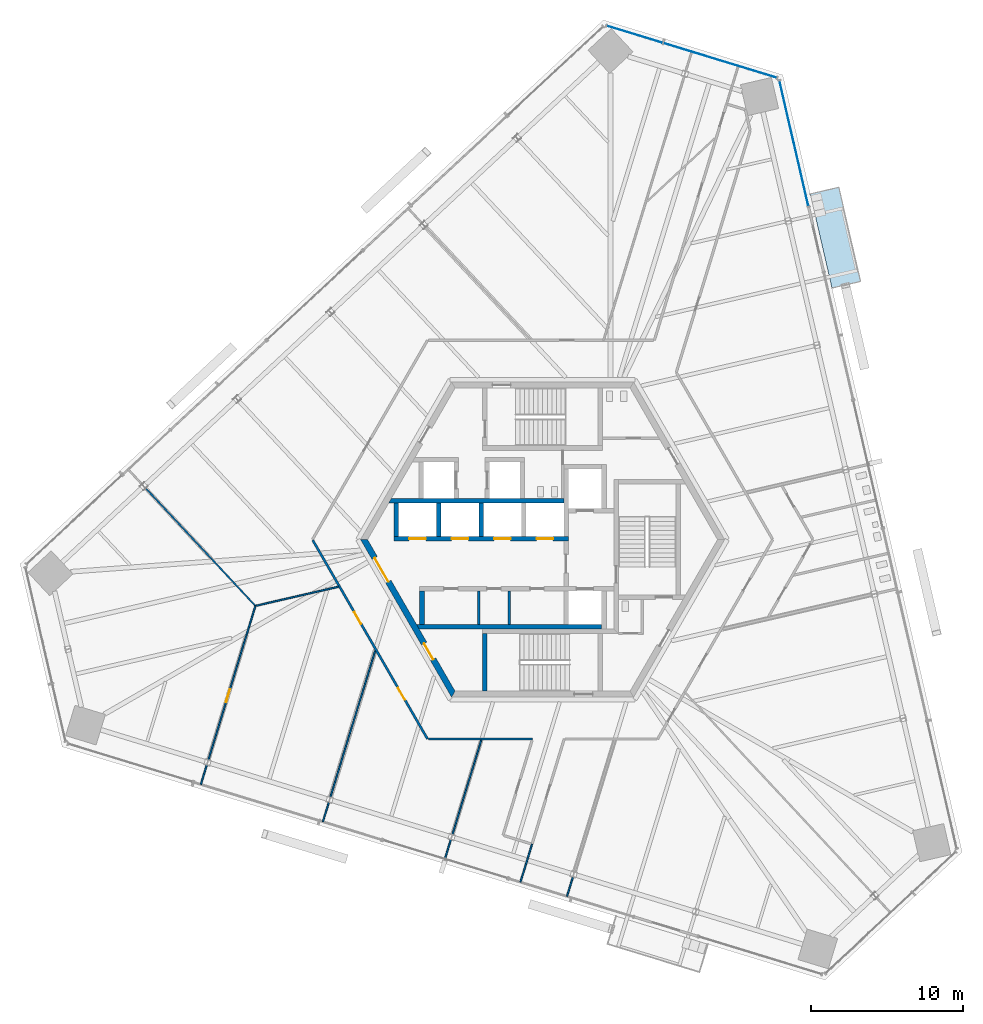
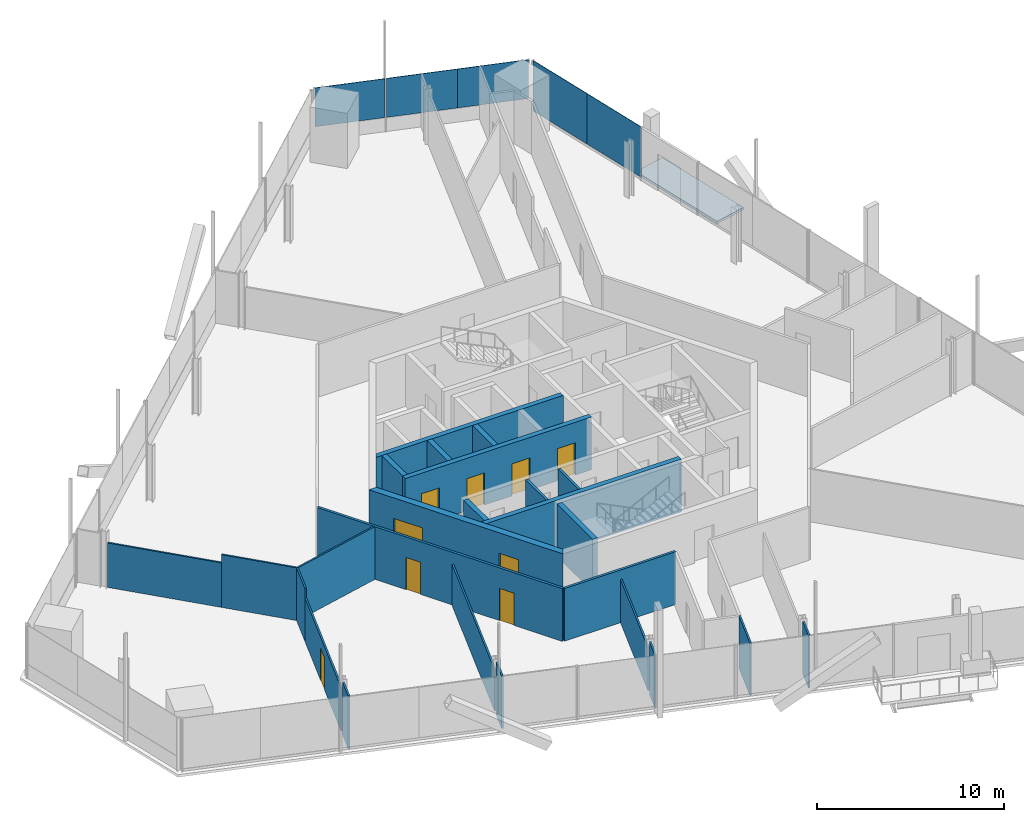
# One storey, part 11 of 21: 25 walls, 9 doors, 5 plates, 1 slab, 9 openings, 2 elements without a shape of their own.
"""IFC4 building model written with IfcOpenShell, lengths in metres."""

from ifc_helpers import new_model, si_unit, direction, frame, frame_2d, origin, origin_2d, place, context, subcontext, project, spatial, polyline, rectangle, outline, extrude, source, transform, mapped, material, layer, layer_set, type_object, element, fill, aggregate, save


model = new_model("IFC4")

# Units and contexts
model_context = context("Model", 3, precision=1e-05, world=origin(), true_north=direction((0.0, 1.0)))
body_context = subcontext(model_context, "Body", "Model", "MODEL_VIEW")
ifc_project = project(units=[si_unit("LENGTHUNIT", "METRE"), si_unit("AREAUNIT", "SQUARE_METRE"), si_unit("VOLUMEUNIT", "CUBIC_METRE"), si_unit("PLANEANGLEUNIT", "RADIAN"), si_unit("MASSUNIT", "GRAM", prefix="KILO")], contexts=[model_context])

# Site, building, storey
site_placement = place(None, origin())
site = spatial("IfcSite", under=ifc_project, at=site_placement, CompositionType="ELEMENT")
building_placement = place(site_placement, origin())
building = spatial("IfcBuilding", under=site, at=building_placement, Name="Triune Harvest Tower", CompositionType="ELEMENT")
storey_placement = place(building_placement, frame((0.0, 0.0, 119.89990234375)))
storey = spatial("IfcBuildingStorey", under=building, at=storey_placement, Name="L30", CompositionType="ELEMENT", Elevation=119.89990234375)

# Slab
ifc_material_1 = material(Name="Concrete 40 MPa", Category="concrete")
ifc_layer_1 = layer(ifc_material_1, 0.159912109375)
ifc_layer_set_1 = layer_set([ifc_layer_1], Name="Concrete 40 MPa")
slab_type = type_object("IfcSlabType", Name="BA-1 balcony slab 160", PredefinedType="FLOOR", material=ifc_layer_set_1)
slab_placement = place(storey_placement, frame((0.0, 0.0, -0.159912109375)))
element("IfcSlab", 1, at=slab_placement, inside=storey, type_object=slab_type, Name="Balcony slab B3-F1 L30.10", PredefinedType="FLOOR", context=body_context, shape_type="SweptSolid", body=[
    extrude(outline(polyline([(19.08154296875, 16.589111328125), (17.649658203125, 22.791259765625), (19.531494140625, 23.2255859375), (20.96337890625, 17.023681640625), (19.08154296875, 16.589111328125)])), origin(), (0.0, 0.0, 1.0), 0.159912109375),
])

# Curtain wall, plates
ifc_material_2 = material(Name="Aluminium bronze anodised", Category="aluminium")
curtain_wall_type_1 = type_object("IfcCurtainWallType", Name="CW-1 Tower stick curtain wall", PredefinedType="NOTDEFINED", material=ifc_material_2)
curtain_wall_1_placement = place(storey_placement, origin())
curtain_wall_1 = element("IfcCurtainWall", 2, at=curtain_wall_1_placement, inside=storey, type_object=curtain_wall_type_1, Name="CW-1 B3-F2 L30 run 1")
ifc_material_3 = material(Name="Glass", Category="glass")
ifc_layer_2 = layer(ifc_material_3, 0.031982421875)
ifc_layer_set_2 = layer_set([ifc_layer_2], Name="Glass")
plate_type_1 = type_object("IfcPlateType", Name="GL-1 panel 32", PredefinedType="CURTAIN_PANEL", material=ifc_layer_set_2)
shared_shape_1 = source(origin(), body_context, "Body", "SweptSolid", [
    extrude(rectangle(XDim=3.8740234375, YDim=0.031982421875, at=origin_2d()), origin(), (0.0, 0.0, 1.0), 2.5400390625),
])
plate_1_placement = place(storey_placement, frame((13.573974609375, 31.01953125, 0.900146484375), z_axis=(0.0, 0.0, 1.0), x_axis=(-0.956303148607, 0.292376962095, 0.0)))
plate_1 = element("IfcPlate", 3, at=plate_1_placement, type_object=plate_type_1, Name="CW-1 panel B3-F2 1.1", PredefinedType="CURTAIN_PANEL", context=body_context, shape_type="MappedRepresentation", body=[
    mapped(shared_shape_1, transform((0.0, 0.0, 0.0), scale=1.0)),
])
shared_shape_2 = source(origin(), body_context, "Body", "SweptSolid", [
    extrude(rectangle(XDim=3.911376953125, YDim=0.031982421875, at=origin_2d()), origin(), (0.0, 0.0, 1.0), 2.5400390625),
])
plate_2_placement = place(storey_placement, frame((9.851318359375, 32.15771484375, 0.900146484375), z_axis=(0.0, 0.0, 1.0), x_axis=(-0.956303148607, 0.292376962095, 0.0)))
plate_2 = element("IfcPlate", 4, at=plate_2_placement, type_object=plate_type_1, Name="CW-1 panel B3-F2 1.2", PredefinedType="CURTAIN_PANEL", context=body_context, shape_type="MappedRepresentation", body=[
    mapped(shared_shape_2, transform((0.0, 0.0, 0.0), scale=1.0)),
])
shared_shape_3 = source(origin(), body_context, "Body", "SweptSolid", [
    extrude(rectangle(XDim=3.83642578125, YDim=0.031982421875, at=origin_2d()), origin(), (0.0, 0.0, 1.0), 2.5400390625),
])
plate_3_placement = place(storey_placement, frame((6.07470703125, 33.312255859375, 0.900146484375), z_axis=(0.0, 0.0, 1.0), x_axis=(-0.956303148607, 0.292376962095, 0.0)))
plate_3 = element("IfcPlate", 5, at=plate_3_placement, type_object=plate_type_1, Name="CW-1 panel B3-F2 1.3", PredefinedType="CURTAIN_PANEL", context=body_context, shape_type="MappedRepresentation", body=[
    mapped(shared_shape_3, transform((0.0, 0.0, 0.0), scale=1.0)),
])
aggregate(curtain_wall_1, [plate_1, plate_2, plate_3])

ifc_material_4 = material(Name="Aluminium bronze anodised", Category="aluminium")
curtain_wall_type_2 = type_object("IfcCurtainWallType", Name="CW-6 Balcony window wall", PredefinedType="NOTDEFINED", material=ifc_material_4)
curtain_wall_2_placement = place(storey_placement, origin())
curtain_wall_2 = element("IfcCurtainWall", 6, at=curtain_wall_2_placement, inside=storey, type_object=curtain_wall_type_2, Name="CW-6 B3-F1 L30 run 2")
ifc_material_5 = material(Name="Glass", Category="glass")
ifc_layer_3 = layer(ifc_material_5, 0.030029296875)
ifc_layer_set_3 = layer_set([ifc_layer_3], Name="Glass")
plate_type_2 = type_object("IfcPlateType", Name="GL-6 panel 30", PredefinedType="CURTAIN_PANEL", material=ifc_layer_set_3)
shared_shape_4 = source(origin(), body_context, "Body", "SweptSolid", [
    extrude(rectangle(XDim=4.2333984375, YDim=0.030029296875, at=origin_2d()), origin(), (0.0, 0.0, 1.0), 3.2900390625),
])
plate_4_placement = place(storey_placement, frame((17.049560546875, 24.056884765625, 0.150146484375), z_axis=(0.0, 0.0, 1.0), x_axis=(-0.22495121687, 0.974370027263, 0.0)))
plate_4 = element("IfcPlate", 7, at=plate_4_placement, type_object=plate_type_2, Name="CW-6 panel B3-F1 2.1", PredefinedType="CURTAIN_PANEL", context=body_context, shape_type="MappedRepresentation", body=[
    mapped(shared_shape_4, transform((0.0, 0.0, 0.0), scale=1.0)),
])
plate_5_placement = place(storey_placement, frame((16.09716796875, 28.181884765625, 0.150146484375), z_axis=(0.0, 0.0, 1.0), x_axis=(-0.22495121687, 0.974370027263, 0.0)))
plate_5 = element("IfcPlate", 8, at=plate_5_placement, type_object=plate_type_2, Name="CW-6 panel B3-F1 2.2", PredefinedType="CURTAIN_PANEL", context=body_context, shape_type="MappedRepresentation", body=[
    mapped(shared_shape_4, transform((0.0, 0.0, 0.0), scale=1.0)),
])
aggregate(curtain_wall_2, [plate_4, plate_5])

# Wall, openings, doors
ifc_material_6 = material(Name="Gypsum board on steel studs", Category="steel")
ifc_layer_4 = layer(ifc_material_6, 0.14990234375)
ifc_layer_set_4 = layer_set([ifc_layer_4], Name="Gypsum board on steel studs")
wall_type_1 = type_object("IfcWallType", Name="Fire Partition 150 mm", PredefinedType="PARTITIONING", material=ifc_layer_set_4)
wall_1_placement = place(storey_placement, frame((-15.155517578125, -0.03466796875, 0.0), z_axis=(0.0, 0.0, 1.0), x_axis=(0.50000264641, -0.866023875874, 0.0)))
wall_1 = element("IfcWall", 9, at=wall_1_placement, inside=storey, type_object=wall_type_1, Name="Partition L30 002", PredefinedType="PARTITIONING", context=body_context, shape_type="SweptSolid", body=[
    extrude(rectangle(XDim=15.13525390625, YDim=0.14990234375, at=frame_2d((7.567626953125, 0.0))), origin(), (0.0, 0.0, 1.0), 3.440185546875),
])
opening_1_placement = place(wall_1_placement, frame((5.4794921875, 0.0, 0.0)))
opening_1 = element("IfcOpeningElement", 10, at=opening_1_placement, cuts=wall_1, Name="Opening L30-012", PredefinedType="OPENING", context=body_context, shape_type="SweptSolid", body=[
    extrude(rectangle(XDim=0.89990234375, YDim=2.10009765625, at=frame_2d((0.449951171875, 1.050048828125))), frame((0.0, 0.0849609375, 0.0), z_axis=(0.0, -1.0, 0.0), x_axis=(1.0, 0.0, 0.0)), (0.0, 0.0, 1.0), 0.169921875),
])
opening_2_placement = place(wall_1_placement, frame((11.247802734375, 0.0, 0.0)))
opening_2 = element("IfcOpeningElement", 11, at=opening_2_placement, cuts=wall_1, Name="Opening L30-013", PredefinedType="OPENING", context=body_context, shape_type="SweptSolid", body=[
    extrude(rectangle(XDim=0.89990234375, YDim=2.10009765625, at=frame_2d((0.449951171875, 1.050048828125))), frame((0.0, 0.0849609375, 0.0), z_axis=(0.0, -1.0, 0.0), x_axis=(1.0, 0.0, 0.0)), (0.0, 0.0, 1.0), 0.169921875),
])
ifc_material_7 = material(Name="Timber and steel door set", Category="steel")
door_type_1 = type_object("IfcDoorType", Name="Single leaf door FD30 left hand 900 x 2100", OperationType="SINGLE_SWING_LEFT", PredefinedType="DOOR", material=ifc_material_7)
door_1_placement = place(opening_2_placement, origin())
door_1 = element("IfcDoor", 12, at=door_1_placement, inside=storey, type_object=door_type_1, Name="Door L30-013 Pantry 30.13", OperationType="SINGLE_SWING_LEFT", OverallHeight=2.10009765625, OverallWidth=0.89990234375, PredefinedType="DOOR", context=body_context, shape_type="SweptSolid", body=[
    extrude(rectangle(XDim=0.89990234375, YDim=2.10009765625, at=frame_2d((0.449951171875, 1.050048828125))), frame((0.0, 0.02490234375, 0.0), z_axis=(0.0, -1.0, 0.0), x_axis=(1.0, 0.0, 0.0)), (0.0, 0.0, 1.0), 0.050048828125),
])
fill(opening_2, door_1)
ifc_material_8 = material(Name="Timber and steel door set", Category="steel")
door_type_2 = type_object("IfcDoorType", Name="Single leaf door FD30 right hand 900 x 2100", OperationType="SINGLE_SWING_RIGHT", PredefinedType="DOOR", material=ifc_material_8)
door_2_placement = place(opening_1_placement, origin())
door_2 = element("IfcDoor", 13, at=door_2_placement, inside=storey, type_object=door_type_2, Name="Door L30-012 Office 30.12", OperationType="SINGLE_SWING_RIGHT", OverallHeight=2.10009765625, OverallWidth=0.89990234375, PredefinedType="DOOR", context=body_context, shape_type="SweptSolid", body=[
    extrude(rectangle(XDim=0.89990234375, YDim=2.10009765625, at=frame_2d((0.449951171875, 1.050048828125))), frame((0.0, 0.02490234375, 0.0), z_axis=(0.0, -1.0, 0.0), x_axis=(1.0, 0.0, 0.0)), (0.0, 0.0, 1.0), 0.050048828125),
])
fill(opening_1, door_2)

# Walls
wall_2_placement = place(storey_placement, frame((-7.53759765625, -13.142333984375, 0.0), z_axis=(0.0, 0.0, 1.0), x_axis=(1.0, 0.0, 0.0)))
element("IfcWall", 14, at=wall_2_placement, inside=storey, type_object=wall_type_1, Name="Partition L30 013", PredefinedType="PARTITIONING", context=body_context, shape_type="SweptSolid", body=[
    extrude(rectangle(XDim=6.873291015625, YDim=0.14990234375, at=frame_2d((3.4365234375, 0.0))), origin(), (0.0, 0.0, 1.0), 3.440185546875),
])
ifc_material_9 = material(Name="Gypsum board on steel studs", Category="steel")
ifc_layer_5 = layer(ifc_material_9, 0.10009765625)
ifc_layer_set_5 = layer_set([ifc_layer_5], Name="Gypsum board on steel studs")
wall_type_2 = type_object("IfcWallType", Name="Partition 100 mm", PredefinedType="PARTITIONING", material=ifc_layer_set_5)
wall_3_placement = place(storey_placement, frame((-21.81689453125, -1.280029296875, 0.0), z_axis=(0.0, 0.0, 1.0), x_axis=(0.681981127868, -0.731369770521, 0.0)))
element("IfcWall", 15, at=wall_3_placement, inside=storey, type_object=wall_type_2, Name="Partition L30 006a", PredefinedType="PARTITIONING", context=body_context, shape_type="SweptSolid", body=[
    extrude(rectangle(XDim=4.206787109375, YDim=0.10009765625, at=frame_2d((2.103515625, 0.0))), origin(), (0.0, 0.0, 1.0), 3.440185546875),
])
wall_4_placement = place(storey_placement, frame((-18.914794921875, -4.36669921875, 0.0), z_axis=(0.0, 0.0, 1.0), x_axis=(0.974374291793, 0.224932744378, 0.0)))
element("IfcWall", 16, at=wall_4_placement, inside=storey, type_object=wall_type_2, Name="Partition L30 020", PredefinedType="PARTITIONING", context=body_context, shape_type="SweptSolid", body=[
    extrude(rectangle(XDim=5.599609375, YDim=0.10009765625, at=frame_2d((2.7998046875, 0.0))), origin(), (0.0, 0.0, 1.0), 3.440185546875),
])
wall_5_placement = place(storey_placement, frame((-1.459716796875, -22.584228515625, 0.0), z_axis=(0.0, 0.0, 1.0), x_axis=(0.29238197055, 0.956301617324, 0.0)))
element("IfcWall", 17, at=wall_5_placement, inside=storey, type_object=wall_type_2, Name="Partition L30 029", PredefinedType="PARTITIONING", context=body_context, shape_type="SweptSolid", body=[
    extrude(rectangle(XDim=2.61865234375, YDim=0.10009765625, at=frame_2d((1.309326171875, 0.0))), origin(), (0.0, 0.0, 1.0), 3.440185546875),
])

# Wall, openings, doors
ifc_material_10 = material(Name="Concrete 70 MPa", Category="concrete")
ifc_layer_6 = layer(ifc_material_10, 0.39990234375)
ifc_layer_set_6 = layer_set([ifc_layer_6], Name="Concrete 70 MPa")
wall_type_3 = type_object("IfcWallType", Name="Core wall 400", PredefinedType="SHEAR", material=ifc_layer_set_6)
shared_shape_5 = source(origin(), body_context, "Body", "SweptSolid", [
    extrude(outline(polyline([(-0.115478515625, -0.199951171875), (11.884521484375, -0.199951171875), (11.653564453125, 0.199951171875), (0.115478515625, 0.199951171875), (-0.115478515625, -0.199951171875)])), origin(), (0.0, 0.0, 1.0), 3.440185546875),
])
wall_6_placement = place(storey_placement, frame((-11.76904296875, 0.0, 0.0), z_axis=(0.0, 0.0, 1.0), x_axis=(0.499996592174, -0.866027371285, 0.0)))
wall_6 = element("IfcWall", 18, at=wall_6_placement, inside=storey, type_object=wall_type_3, Name="Hexagon 3 wall", PredefinedType="SHEAR", context=body_context, shape_type="MappedRepresentation", body=[
    mapped(shared_shape_5, transform((0.0, 0.0, 0.0), scale=1.0)),
])
opening_3_placement = place(wall_6_placement, frame((1.404541015625, 0.0, 0.0)))
opening_3 = element("IfcOpeningElement", 19, at=opening_3_placement, cuts=wall_6, Name="Opening CD-LS", PredefinedType="OPENING", context=body_context, shape_type="SweptSolid", body=[
    extrude(rectangle(XDim=1.800048828125, YDim=2.10009765625, at=frame_2d((0.89990234375, 1.050048828125))), frame((0.0, 0.2099609375, 0.0), z_axis=(0.0, -1.0, 0.0), x_axis=(1.0, 0.0, 0.0)), (0.0, 0.0, 1.0), 0.419921875),
])
opening_4_placement = place(wall_6_placement, frame((7.91455078125, 0.0, 0.0)))
opening_4 = element("IfcOpeningElement", 20, at=opening_4_placement, cuts=wall_6, Name="Opening CD-SWP", PredefinedType="OPENING", context=body_context, shape_type="SweptSolid", body=[
    extrude(rectangle(XDim=1.199951171875, YDim=2.10009765625, at=frame_2d((0.60009765625, 1.050048828125))), frame((0.0, 0.2099609375, 0.0), z_axis=(0.0, -1.0, 0.0), x_axis=(1.0, 0.0, 0.0)), (0.0, 0.0, 1.0), 0.419921875),
])
ifc_material_11 = material(Name="Steel S235", Category="steel")
door_type_3 = type_object("IfcDoorType", Name="Lobby door 1800 FD120", OperationType="DOUBLE_DOOR_DOUBLE_SWING", PredefinedType="DOOR", material=ifc_material_11)
door_3_placement = place(opening_3_placement, frame((1.800048828125, 0.0, 0.0), z_axis=(0.0, 0.0, 1.0), x_axis=(-1.0, 0.0, 0.0)))
door_3 = element("IfcDoor", 21, at=door_3_placement, inside=storey, type_object=door_type_3, Name="Door CD-LS", OperationType="DOUBLE_DOOR_DOUBLE_SWING", OverallHeight=2.10009765625, OverallWidth=1.800048828125, PredefinedType="DOOR", context=body_context, shape_type="SweptSolid", body=[
    extrude(rectangle(XDim=1.800048828125, YDim=2.10009765625, at=frame_2d((0.89990234375, 1.050048828125))), frame((0.0, 0.02490234375, 0.0), z_axis=(0.0, -1.0, 0.0), x_axis=(1.0, 0.0, 0.0)), (0.0, 0.0, 1.0), 0.050048828125),
])
fill(opening_3, door_3)
ifc_material_12 = material(Name="Steel S235", Category="steel")
door_type_4 = type_object("IfcDoorType", Name="Service door 1200 FD120", OperationType="SINGLE_SWING_LEFT", PredefinedType="DOOR", material=ifc_material_12)
door_4_placement = place(opening_4_placement, frame((1.199951171875, 0.0, 0.0), z_axis=(0.0, 0.0, 1.0), x_axis=(-1.0, 0.0, 0.0)))
door_4 = element("IfcDoor", 22, at=door_4_placement, inside=storey, type_object=door_type_4, Name="Door CD-SWP", OperationType="SINGLE_SWING_RIGHT", OverallHeight=2.10009765625, OverallWidth=1.199951171875, PredefinedType="DOOR", context=body_context, shape_type="SweptSolid", body=[
    extrude(rectangle(XDim=1.199951171875, YDim=2.10009765625, at=frame_2d((0.60009765625, 1.050048828125))), frame((0.0, 0.02490234375, 0.0), z_axis=(0.0, -1.0, 0.0), x_axis=(1.0, 0.0, 0.0)), (0.0, 0.0, 1.0), 0.050048828125),
])
fill(opening_4, door_4)

ifc_material_13 = material(Name="Concrete 70 MPa", Category="concrete")
ifc_layer_7 = layer(ifc_material_13, 0.300048828125)
ifc_layer_set_7 = layer_set([ifc_layer_7], Name="Concrete 70 MPa")
wall_type_4 = type_object("IfcWallType", Name="Core wall 300", PredefinedType="SHEAR", material=ifc_layer_set_7)
shared_shape_6 = source(origin(), body_context, "Body", "SweptSolid", [
    extrude(rectangle(XDim=11.5, YDim=0.300048828125, at=frame_2d((5.75, 0.0))), origin(), (0.0, 0.0, 1.0), 3.440185546875),
])
wall_7_placement = place(storey_placement, frame((-9.800048828125, 0.06005859375, 0.0), z_axis=(0.0, 0.0, 1.0), x_axis=(1.0, 0.0, 0.0)))
wall_7 = element("IfcWall", 23, at=wall_7_placement, inside=storey, type_object=wall_type_4, Name="North front wall", PredefinedType="SHEAR", context=body_context, shape_type="MappedRepresentation", body=[
    mapped(shared_shape_6, transform((0.0, 0.0, 0.0), scale=1.0)),
])
opening_5_placement = place(wall_7_placement, frame((1.0, 0.0, 0.0)))
opening_5 = element("IfcOpeningElement", 24, at=opening_5_placement, cuts=wall_7, Name="Opening LD-LR1-30", PredefinedType="OPENING", context=body_context, shape_type="SweptSolid", body=[
    extrude(rectangle(XDim=1.10009765625, YDim=2.10009765625, at=frame_2d((0.550048828125, 1.050048828125))), frame((0.0, 0.16015625, 0.0), z_axis=(0.0, -1.0, 0.0), x_axis=(1.0, 0.0, 0.0)), (0.0, 0.0, 1.0), 0.320068359375),
])
opening_6_placement = place(wall_7_placement, frame((3.800048828125, 0.0, 0.0)))
opening_6 = element("IfcOpeningElement", 25, at=opening_6_placement, cuts=wall_7, Name="Opening LD-LR2-30", PredefinedType="OPENING", context=body_context, shape_type="SweptSolid", body=[
    extrude(rectangle(XDim=1.10009765625, YDim=2.10009765625, at=frame_2d((0.550048828125, 1.050048828125))), frame((0.0, 0.16015625, 0.0), z_axis=(0.0, -1.0, 0.0), x_axis=(1.0, 0.0, 0.0)), (0.0, 0.0, 1.0), 0.320068359375),
])
opening_7_placement = place(wall_7_placement, frame((6.60009765625, 0.0, 0.0)))
opening_7 = element("IfcOpeningElement", 26, at=opening_7_placement, cuts=wall_7, Name="Opening LD-LR3-30", PredefinedType="OPENING", context=body_context, shape_type="SweptSolid", body=[
    extrude(rectangle(XDim=1.10009765625, YDim=2.10009765625, at=frame_2d((0.550048828125, 1.050048828125))), frame((0.0, 0.16015625, 0.0), z_axis=(0.0, -1.0, 0.0), x_axis=(1.0, 0.0, 0.0)), (0.0, 0.0, 1.0), 0.320068359375),
])
opening_8_placement = place(wall_7_placement, frame((9.39990234375, 0.0, 0.0)))
opening_8 = element("IfcOpeningElement", 27, at=opening_8_placement, cuts=wall_7, Name="Opening LD-LR4-30", PredefinedType="OPENING", context=body_context, shape_type="SweptSolid", body=[
    extrude(rectangle(XDim=1.10009765625, YDim=2.10009765625, at=frame_2d((0.550048828125, 1.050048828125))), frame((0.0, 0.16015625, 0.0), z_axis=(0.0, -1.0, 0.0), x_axis=(1.0, 0.0, 0.0)), (0.0, 0.0, 1.0), 0.320068359375),
])
ifc_material_14 = material(Name="Stainless steel AISI 304", Category="steel")
door_type_5 = type_object("IfcDoorType", Name="Landing door 1100 x 2100", OperationType="DOUBLE_DOOR_SLIDING", PredefinedType="DOOR", material=ifc_material_14)
door_5_placement = place(opening_5_placement, origin())
door_5 = element("IfcDoor", 28, at=door_5_placement, inside=storey, type_object=door_type_5, Name="Door LD-LR1-30", OperationType="DOUBLE_DOOR_SLIDING", OverallHeight=2.10009765625, OverallWidth=1.10009765625, PredefinedType="DOOR", context=body_context, shape_type="SweptSolid", body=[
    extrude(rectangle(XDim=1.10009765625, YDim=2.10009765625, at=frame_2d((0.550048828125, 1.050048828125))), frame((0.0, 0.02490234375, 0.0), z_axis=(0.0, -1.0, 0.0), x_axis=(1.0, 0.0, 0.0)), (0.0, 0.0, 1.0), 0.050048828125),
])
fill(opening_5, door_5)
door_6_placement = place(opening_6_placement, origin())
door_6 = element("IfcDoor", 29, at=door_6_placement, inside=storey, type_object=door_type_5, Name="Door LD-LR2-30", OperationType="DOUBLE_DOOR_SLIDING", OverallHeight=2.10009765625, OverallWidth=1.10009765625, PredefinedType="DOOR", context=body_context, shape_type="SweptSolid", body=[
    extrude(rectangle(XDim=1.10009765625, YDim=2.10009765625, at=frame_2d((0.550048828125, 1.050048828125))), frame((0.0, 0.02490234375, 0.0), z_axis=(0.0, -1.0, 0.0), x_axis=(1.0, 0.0, 0.0)), (0.0, 0.0, 1.0), 0.050048828125),
])
fill(opening_6, door_6)
door_7_placement = place(opening_7_placement, origin())
door_7 = element("IfcDoor", 30, at=door_7_placement, inside=storey, type_object=door_type_5, Name="Door LD-LR3-30", OperationType="DOUBLE_DOOR_SLIDING", OverallHeight=2.10009765625, OverallWidth=1.10009765625, PredefinedType="DOOR", context=body_context, shape_type="SweptSolid", body=[
    extrude(rectangle(XDim=1.10009765625, YDim=2.10009765625, at=frame_2d((0.550048828125, 1.050048828125))), frame((0.0, 0.02490234375, 0.0), z_axis=(0.0, -1.0, 0.0), x_axis=(1.0, 0.0, 0.0)), (0.0, 0.0, 1.0), 0.050048828125),
])
fill(opening_7, door_7)
door_8_placement = place(opening_8_placement, origin())
door_8 = element("IfcDoor", 31, at=door_8_placement, inside=storey, type_object=door_type_5, Name="Door LD-LR4-30", OperationType="DOUBLE_DOOR_SLIDING", OverallHeight=2.10009765625, OverallWidth=1.10009765625, PredefinedType="DOOR", context=body_context, shape_type="SweptSolid", body=[
    extrude(rectangle(XDim=1.10009765625, YDim=2.10009765625, at=frame_2d((0.550048828125, 1.050048828125))), frame((0.0, 0.02490234375, 0.0), z_axis=(0.0, -1.0, 0.0), x_axis=(1.0, 0.0, 0.0)), (0.0, 0.0, 1.0), 0.050048828125),
])
fill(opening_8, door_8)

# Walls
shared_shape_7 = source(origin(), body_context, "Body", "SweptSolid", [
    extrude(outline(polyline([(11.199951171875, -0.14990234375), (-0.34912109375, -0.14990234375), (-0.17578125, 0.14990234375), (11.199951171875, 0.14990234375), (11.199951171875, -0.14990234375)])), origin(), (0.0, 0.0, 1.0), 3.440185546875),
])
wall_8_placement = place(storey_placement, frame((-9.800048828125, 2.56005859375, 0.0), z_axis=(0.0, 0.0, 1.0), x_axis=(1.0, 0.0, 0.0)))
element("IfcWall", 32, at=wall_8_placement, inside=storey, type_object=wall_type_4, Name="North back wall", PredefinedType="SHEAR", context=body_context, shape_type="MappedRepresentation", body=[
    mapped(shared_shape_7, transform((0.0, 0.0, 0.0), scale=1.0)),
])
shared_shape_8 = source(origin(), body_context, "Body", "SweptSolid", [
    extrude(outline(polyline([(12.0, -0.14990234375), (-0.039794921875, -0.14990234375), (-0.212890625, 0.14990234375), (12.0, 0.14990234375), (12.0, -0.14990234375)])), origin(), (0.0, 0.0, 1.0), 3.440185546875),
])
wall_9_placement = place(storey_placement, frame((-8.10009765625, -5.739990234375, 0.0), z_axis=(0.0, 0.0, 1.0), x_axis=(1.0, 0.0, 0.0)))
element("IfcWall", 33, at=wall_9_placement, inside=storey, type_object=wall_type_4, Name="South back wall", PredefinedType="SHEAR", context=body_context, shape_type="MappedRepresentation", body=[
    mapped(shared_shape_8, transform((0.0, 0.0, 0.0), scale=1.0)),
])
shared_shape_9 = source(origin(), body_context, "Body", "SweptSolid", [
    extrude(rectangle(XDim=2.2001953125, YDim=0.300048828125, at=frame_2d((1.10009765625, 0.0))), origin(), (0.0, 0.0, 1.0), 3.440185546875),
])
wall_10_placement = place(storey_placement, frame((-7.949951171875, -5.590087890625, 0.0), z_axis=(0.0, 0.0, 1.0), x_axis=(0.0, 1.0, 0.0)))
element("IfcWall", 34, at=wall_10_placement, inside=storey, type_object=wall_type_4, Name="South end west wall", PredefinedType="SHEAR", context=body_context, shape_type="MappedRepresentation", body=[
    mapped(shared_shape_9, transform((0.0, 0.0, 0.0), scale=1.0)),
])
shared_shape_10 = source(origin(), body_context, "Body", "SweptSolid", [
    extrude(rectangle(XDim=2.199951171875, YDim=0.300048828125, at=frame_2d((1.10009765625, 0.0))), origin(), (0.0, 0.0, 1.0), 3.440185546875),
])
for number, where, z_axis, x_axis, name in (
    (35, (-9.64990234375, 0.2099609375, 0.0), (0.0, 0.0, 1.0), (0.0, 1.0, 0.0), "North end west wall"),
    (36, (-6.85009765625, 0.2099609375, 0.0), (0.0, 0.0, 1.0), (0.0, 1.0, 0.0), "North cross 1 wall"),
    (37, (-4.050048828125, 0.2099609375, 0.0), (0.0, 0.0, 1.0), (0.0, 1.0, 0.0), "North cross 2 wall"),
):
    element("IfcWall", number, at=place(storey_placement, frame(where, z_axis=z_axis, x_axis=x_axis)), inside=storey, type_object=wall_type_4, Name=name, PredefinedType="SHEAR", context=body_context, shape_type="MappedRepresentation", body=[
        mapped(shared_shape_10, transform((0.0, 0.0, 0.0), scale=1.0)),
    ])
shared_shape_11 = source(origin(), body_context, "Body", "SweptSolid", [
    extrude(outline(polyline([(3.800048828125, -0.14990234375), (-0.00439453125, -0.14990234375), (-0.00439453125, 0.14990234375), (3.800048828125, 0.14990234375), (3.800048828125, -0.14990234375)])), origin(), (0.0, 0.0, 1.0), 3.440185546875),
])
wall_11_placement = place(storey_placement, frame((-3.800048828125, -9.989990234375, 0.0), z_axis=(0.0, 0.0, 1.0), x_axis=(0.0, 1.0, 0.0)))
element("IfcWall", 38, at=wall_11_placement, inside=storey, type_object=wall_type_4, Name="Stair s west wall", PredefinedType="SHEAR", context=body_context, shape_type="MappedRepresentation", body=[
    mapped(shared_shape_11, transform((0.0, 0.0, 0.0), scale=1.0)),
])
ifc_material_15 = material(Name="Concrete masonry unit", Category="masonry")
ifc_layer_8 = layer(ifc_material_15, 0.14990234375)
ifc_layer_set_8 = layer_set([ifc_layer_8], Name="Concrete masonry unit")
wall_type_5 = type_object("IfcWallType", Name="Block partition 150", PredefinedType="PARTITIONING", material=ifc_layer_set_8)
shared_shape_12 = source(origin(), body_context, "Body", "SweptSolid", [
    extrude(rectangle(XDim=2.2001953125, YDim=0.14990234375, at=frame_2d((1.10009765625, 0.0))), origin(), (0.0, 0.0, 1.0), 3.440185546875),
])
for number, where, z_axis, x_axis, name in (
    (39, (-4.199951171875, -5.590087890625, 0.0), (0.0, 0.0, 1.0), (0.0, 1.0, 0.0), "Row s part 1 wall"),
    (40, (-2.199951171875, -5.590087890625, 0.0), (0.0, 0.0, 1.0), (0.0, 1.0, 0.0), "Row s part 2 wall"),
):
    element("IfcWall", number, at=place(storey_placement, frame(where, z_axis=z_axis, x_axis=x_axis)), inside=storey, type_object=wall_type_5, Name=name, PredefinedType="PARTITIONING", context=body_context, shape_type="MappedRepresentation", body=[
        mapped(shared_shape_12, transform((0.0, 0.0, 0.0), scale=1.0)),
    ])
shared_shape_13 = source(origin(), body_context, "Body", "SweptSolid", [
    extrude(rectangle(XDim=1.338134765625, YDim=0.10009765625, at=frame_2d((0.6689453125, 0.0))), origin(), (0.0, 0.0, 1.0), 3.440185546875),
])
for number, where, z_axis, x_axis, name in (
    (41, (-6.439208984375, -21.061767578125, 0.0), (0.0, 0.0, 1.0), (0.29226488494, 0.956337407525, 0.0), "Partition L30 035"),
    (42, (-22.53271484375, -16.1416015625, 0.0), (0.0, 0.0, 1.0), (0.29226488494, 0.956337407525, 0.0), "Partition L30 041"),
):
    element("IfcWall", number, at=place(storey_placement, frame(where, z_axis=z_axis, x_axis=x_axis)), inside=storey, type_object=wall_type_2, Name=name, PredefinedType="PARTITIONING", context=body_context, shape_type="MappedRepresentation", body=[
        mapped(shared_shape_13, transform((0.0, 0.0, 0.0), scale=1.0)),
    ])
shared_shape_14 = source(origin(), body_context, "Body", "SweptSolid", [
    extrude(rectangle(XDim=1.9912109375, YDim=0.10009765625, at=frame_2d((0.99560546875, 0.0))), origin(), (0.0, 0.0, 1.0), 3.440185546875),
])
wall_12_placement = place(storey_placement, frame((-19.5166015625, -6.275634765625, 0.0), z_axis=(0.0, 0.0, 1.0), x_axis=(0.292405417811, 0.956294448188, 0.0)))
element("IfcWall", 43, at=wall_12_placement, inside=storey, type_object=wall_type_2, Name="Partition L30 042a", PredefinedType="PARTITIONING", context=body_context, shape_type="MappedRepresentation", body=[
    mapped(shared_shape_14, transform((0.0, 0.0, 0.0), scale=1.0)),
])
shared_shape_15 = source(origin(), body_context, "Body", "SweptSolid", [
    extrude(rectangle(XDim=1.33837890625, YDim=0.10009765625, at=frame_2d((0.669189453125, 0.0))), origin(), (0.0, 0.0, 1.0), 3.440185546875),
])
for number, where, z_axis, x_axis, name in (
    (44, (1.607421875, -23.52197265625, 0.0), (0.0, 0.0, 1.0), (0.292431725513, 0.956286403706, 0.0), "Partition L30 027"),
    (45, (-14.486083984375, -18.601806640625, 0.0), (0.0, 0.0, 1.0), (0.292431725513, 0.956286403706, 0.0), "Partition L30 039"),
):
    element("IfcWall", number, at=place(storey_placement, frame(where, z_axis=z_axis, x_axis=x_axis)), inside=storey, type_object=wall_type_2, Name=name, PredefinedType="PARTITIONING", context=body_context, shape_type="MappedRepresentation", body=[
        mapped(shared_shape_15, transform((0.0, 0.0, 0.0), scale=1.0)),
    ])
shared_shape_16 = source(origin(), body_context, "Body", "SweptSolid", [
    extrude(rectangle(XDim=6.382080078125, YDim=0.10009765625, at=frame_2d((3.19091796875, 0.0))), origin(), (0.0, 0.0, 1.0), 2.904052734375),
])
wall_13_placement = place(storey_placement, frame((-26.16943359375, 3.387451171875, 0.0), z_axis=(0.0, 0.0, 1.0), x_axis=(0.682001973216, -0.731350332283, 0.0)))
element("IfcWall", 46, at=wall_13_placement, inside=storey, type_object=wall_type_2, Name="Partition L30 006", PredefinedType="PARTITIONING", context=body_context, shape_type="MappedRepresentation", body=[
    mapped(shared_shape_16, transform((0.0, 0.0, 0.0), scale=1.0)),
])
shared_shape_17 = source(origin(), body_context, "Body", "SweptSolid", [
    extrude(rectangle(XDim=6.51220703125, YDim=0.10009765625, at=frame_2d((3.256103515625, 0.0))), origin(), (0.0, 0.0, 1.0), 2.827880859375),
])
wall_14_placement = place(storey_placement, frame((-5.9423828125, -19.43701171875, 0.0), z_axis=(0.0, 0.0, 1.0), x_axis=(0.292341398545, 0.956314020966, 0.0)))
element("IfcWall", 47, at=wall_14_placement, inside=storey, type_object=wall_type_2, Name="Partition L30 036", PredefinedType="PARTITIONING", context=body_context, shape_type="MappedRepresentation", body=[
    mapped(shared_shape_17, transform((0.0, 0.0, 0.0), scale=1.0)),
])
shared_shape_18 = source(origin(), body_context, "Body", "SweptSolid", [
    extrude(rectangle(XDim=10.081787109375, YDim=0.10009765625, at=frame_2d((5.041015625, 0.0))), origin(), (0.0, 0.0, 1.0), 2.68310546875),
])
wall_15_placement = place(storey_placement, frame((-13.9892578125, -16.976806640625, 0.0), z_axis=(0.0, 0.0, 1.0), x_axis=(0.292387104929, 0.956300047512, 0.0)))
element("IfcWall", 48, at=wall_15_placement, inside=storey, type_object=wall_type_2, Name="Partition L30 040", PredefinedType="PARTITIONING", context=body_context, shape_type="MappedRepresentation", body=[
    mapped(shared_shape_18, transform((0.0, 0.0, 0.0), scale=1.0)),
])

# Wall, opening, door
shared_shape_19 = source(origin(), body_context, "Body", "SweptSolid", [
    extrude(rectangle(XDim=8.617431640625, YDim=0.10009765625, at=frame_2d((4.30859375, 0.0))), origin(), (0.0, 0.0, 1.0), 2.827880859375),
])
wall_16_placement = place(storey_placement, frame((-22.035888671875, -14.5166015625, 0.0), z_axis=(0.0, 0.0, 1.0), x_axis=(0.292347371923, 0.956312194908, 0.0)))
wall_16 = element("IfcWall", 49, at=wall_16_placement, inside=storey, type_object=wall_type_2, Name="Partition L30 042", PredefinedType="PARTITIONING", context=body_context, shape_type="MappedRepresentation", body=[
    mapped(shared_shape_19, transform((0.0, 0.0, 0.0), scale=1.0)),
])
opening_9_placement = place(wall_16_placement, frame((3.958984375, 0.0, 0.0)))
opening_9 = element("IfcOpeningElement", 50, at=opening_9_placement, cuts=wall_16, Name="Opening L30-011", PredefinedType="OPENING", context=body_context, shape_type="SweptSolid", body=[
    extrude(rectangle(XDim=0.89990234375, YDim=2.10009765625, at=frame_2d((0.449951171875, 1.050048828125))), frame((0.0, 0.06005859375, 0.0), z_axis=(0.0, -1.0, 0.0), x_axis=(1.0, 0.0, 0.0)), (0.0, 0.0, 1.0), 0.1201171875),
])
ifc_material_16 = material(Name="Timber and steel door set", Category="steel")
door_type_6 = type_object("IfcDoorType", Name="Single leaf door left hand 900 x 2100", OperationType="SINGLE_SWING_LEFT", PredefinedType="DOOR", material=ifc_material_16)
door_9_placement = place(opening_9_placement, origin())
door_9 = element("IfcDoor", 51, at=door_9_placement, inside=storey, type_object=door_type_6, Name="Door L30-011 Reception 30.11", OperationType="SINGLE_SWING_LEFT", OverallHeight=2.10009765625, OverallWidth=0.89990234375, PredefinedType="DOOR", context=body_context, shape_type="SweptSolid", body=[
    extrude(rectangle(XDim=0.89990234375, YDim=2.10009765625, at=frame_2d((0.449951171875, 1.050048828125))), frame((0.0, 0.02490234375, 0.0), z_axis=(0.0, -1.0, 0.0), x_axis=(1.0, 0.0, 0.0)), (0.0, 0.0, 1.0), 0.050048828125),
])
fill(opening_9, door_9)

save(model, "model.ifc")
